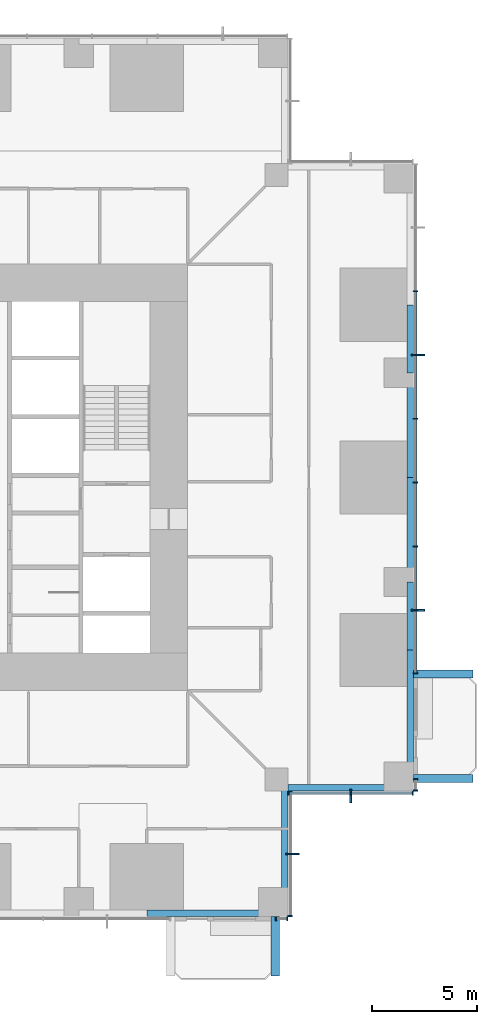
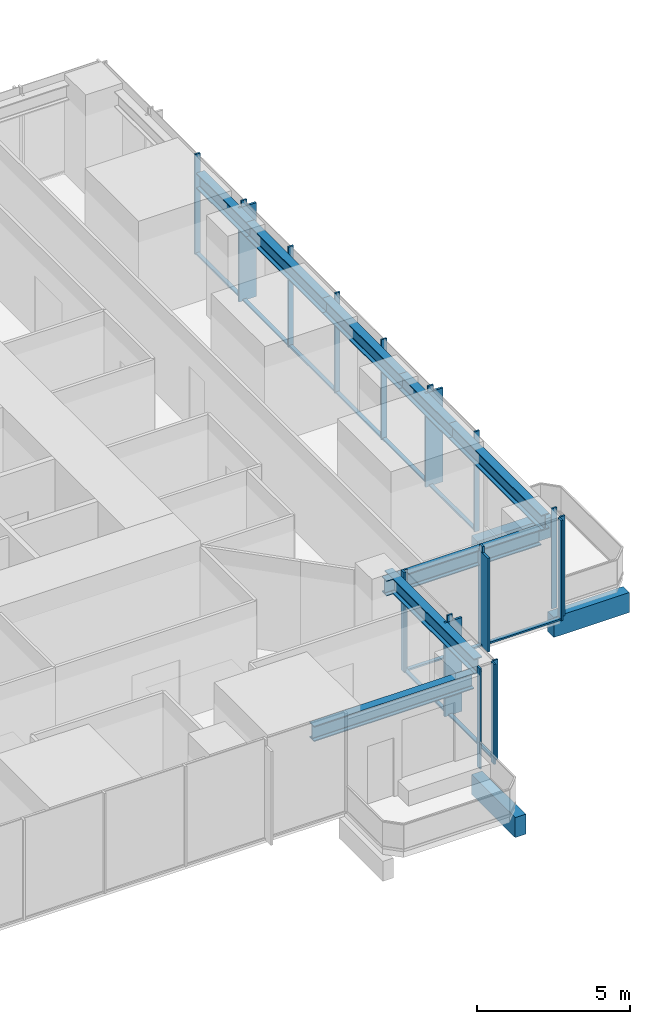
# One storey, part 4 of 15: 31 members, 11 beams, 5 elements without a shape of their own.
"""IFC4 building model written with IfcOpenShell, lengths in metres."""

from ifc_helpers import new_model, si_unit, direction, frame, origin, origin_2d, place, context, subcontext, project, spatial, rectangle, i_section, extrude, material, material_profile, profile_set, type_object, element, aggregate, save


model = new_model("IFC4")

# Units and contexts
model_context = context("Model", 3, precision=1e-05, world=origin(), true_north=direction((0.0, 1.0)))
body_context = subcontext(model_context, "Body", "Model", "MODEL_VIEW")
ifc_project = project(units=[si_unit("LENGTHUNIT", "METRE"), si_unit("AREAUNIT", "SQUARE_METRE"), si_unit("VOLUMEUNIT", "CUBIC_METRE"), si_unit("PLANEANGLEUNIT", "RADIAN"), si_unit("MASSUNIT", "GRAM", prefix="KILO")], contexts=[model_context])

# Site, building, storey
site_placement = place(None, origin())
site = spatial("IfcSite", under=ifc_project, at=site_placement, CompositionType="ELEMENT")
building_placement = place(site_placement, origin())
building = spatial("IfcBuilding", under=site, at=building_placement, Name="Svetlomir Tower", CompositionType="ELEMENT")
storey_placement = place(building_placement, frame((0.0, 0.0, 26.5)))
storey = spatial("IfcBuildingStorey", under=building, at=storey_placement, Name="L05", CompositionType="ELEMENT", Elevation=26.5)

# Beams
ifc_material_1 = material(Name="Concrete C60/75", Category="concrete")
ifc_material_profile_1 = material_profile(ifc_material_1, rectangle(XDim=0.39990234375, YDim=0.800048828125, at=origin_2d()), Name="RC 400x800")
ifc_profile_set_1 = profile_set([ifc_material_profile_1], Name="Concrete C60/75")
beam_type_1 = type_object("IfcBeamType", Name="BALCONY RIB RC 400x800", PredefinedType="BEAM", material=ifc_profile_set_1)
for number, where, z_axis, x_axis, name in (
    (1, (35.39990234375, 0.0, -0.64990234375), (0.0, -1.0, 0.0), (1.0, 0.0, 0.0), "Balcony rib S 2 L05"),
    (2, (42.0, 6.60009765625, -0.64990234375), (1.0, 0.0, 0.0), (0.0, 1.0, 0.0), "Balcony rib E 1 L05"),
    (3, (42.0, 11.60009765625, -0.64990234375), (1.0, 0.0, 0.0), (0.0, 1.0, 0.0), "Balcony rib E 2 L05"),
):
    element("IfcBeam", number, at=place(storey_placement, frame(where, z_axis=z_axis, x_axis=x_axis)), inside=storey, type_object=beam_type_1, Name=name, PredefinedType="BEAM", context=body_context, shape_type="SweptSolid", body=[
        extrude(rectangle(XDim=0.39990234375, YDim=0.800048828125, at=origin_2d()), origin(), (0.0, 0.0, 1.0), 2.85009765625),
    ])

# Curtain wall, member
ifc_material_2 = material(Name="Bronze anodised aluminium curtain wall", Category="aluminium")
curtain_wall_type = type_object("IfcCurtainWallType", Name="CURTAIN WALL CW1 TOWER OFFICE", PredefinedType="NOTDEFINED", material=ifc_material_2)
curtain_wall_1_placement = place(storey_placement, origin())
curtain_wall_1 = element("IfcCurtainWall", 4, at=curtain_wall_1_placement, inside=storey, type_object=curtain_wall_type, Name="Curtain wall CW1 L05", PredefinedType="NOTDEFINED")
ifc_material_3 = material(Name="Bronze anodised aluminium", Category="aluminium")
ifc_material_profile_2 = material_profile(ifc_material_3, rectangle(XDim=0.080078125, YDim=0.64990234375, at=origin_2d()), Name="FIN 80x650")
ifc_profile_set_2 = profile_set([ifc_material_profile_2], Name="Bronze anodised aluminium 6063-T6")
member_type_1 = type_object("IfcMemberType", Name="BRONZE FIN 80x650", PredefinedType="USERDEFINED", material=ifc_profile_set_2)
member_1_placement = place(storey_placement, frame((36.22509765625, 3.0, 0.0), z_axis=(0.0, 0.0, 1.0), x_axis=(0.0, 1.0, 0.0)))
member_1 = element("IfcMember", 5, at=member_1_placement, type_object=member_type_1, Name="Bronze fin L05", ObjectType="FIN", PredefinedType="USERDEFINED", context=body_context, shape_type="SweptSolid", body=[
    extrude(rectangle(XDim=0.080078125, YDim=0.64990234375, at=origin_2d()), origin(), (0.0, 0.0, 1.0), 3.75),
])

curtain_wall_2_placement = place(storey_placement, origin())
curtain_wall_2 = element("IfcCurtainWall", 6, at=curtain_wall_2_placement, inside=storey, type_object=curtain_wall_type, Name="Curtain wall CW1 L05", PredefinedType="NOTDEFINED")
member_2_placement = place(storey_placement, frame((39.0, 5.77490234375, 0.0), z_axis=(0.0, 0.0, 1.0), x_axis=(1.0, 0.0, 0.0)))
member_2 = element("IfcMember", 7, at=member_2_placement, type_object=member_type_1, Name="Bronze fin L05", ObjectType="FIN", PredefinedType="USERDEFINED", context=body_context, shape_type="SweptSolid", body=[
    extrude(rectangle(XDim=0.080078125, YDim=0.64990234375, at=origin_2d()), origin(), (0.0, 0.0, 1.0), 3.75),
])

# Curtain wall, members
curtain_wall_3_placement = place(storey_placement, origin())
curtain_wall_3 = element("IfcCurtainWall", 8, at=curtain_wall_3_placement, inside=storey, type_object=curtain_wall_type, Name="Curtain wall CW1 L05", PredefinedType="NOTDEFINED")
member_3_placement = place(storey_placement, frame((42.22509765625, 14.64990234375, 0.0), z_axis=(0.0, 0.0, 1.0), x_axis=(0.0, 1.0, 0.0)))
member_3 = element("IfcMember", 9, at=member_3_placement, type_object=member_type_1, Name="Bronze fin L05", ObjectType="FIN", PredefinedType="USERDEFINED", context=body_context, shape_type="SweptSolid", body=[
    extrude(rectangle(XDim=0.080078125, YDim=0.64990234375, at=origin_2d()), origin(), (0.0, 0.0, 1.0), 3.75),
])
member_4_placement = place(storey_placement, frame((42.22509765625, 26.85009765625, 0.0), z_axis=(0.0, 0.0, 1.0), x_axis=(0.0, 1.0, 0.0)))
member_4 = element("IfcMember", 10, at=member_4_placement, type_object=member_type_1, Name="Bronze fin L05", ObjectType="FIN", PredefinedType="USERDEFINED", context=body_context, shape_type="SweptSolid", body=[
    extrude(rectangle(XDim=0.080078125, YDim=0.64990234375, at=origin_2d()), origin(), (0.0, 0.0, 1.0), 3.75),
])

curtain_wall_4_placement = place(storey_placement, origin())
curtain_wall_4 = element("IfcCurtainWall", 11, at=curtain_wall_4_placement, inside=storey, type_object=curtain_wall_type, Name="Curtain wall CW1 L05", PredefinedType="NOTDEFINED")
ifc_material_4 = material(Name="Bronze anodised aluminium", Category="aluminium")
ifc_material_profile_3 = material_profile(ifc_material_4, rectangle(XDim=0.06494140625, YDim=0.199951171875, at=origin_2d()), Name="AL 65x200")
ifc_profile_set_3 = profile_set([ifc_material_profile_3], Name="Bronze anodised aluminium 6063-T6")
member_type_2 = type_object("IfcMemberType", Name="CW1 MULLION 65x200", PredefinedType="MULLION", material=ifc_profile_set_3)
member_5_placement = place(storey_placement, frame((35.4326171875, -0.10009765625, 0.0), z_axis=(0.0, 0.0, 1.0), x_axis=(1.0, 0.0, 0.0)))
member_5 = element("IfcMember", 12, at=member_5_placement, type_object=member_type_2, Name="CW1 mullion 1", PredefinedType="MULLION", context=body_context, shape_type="SweptSolid", body=[
    extrude(rectangle(XDim=0.06494140625, YDim=0.199951171875, at=origin_2d()), origin(), (0.0, 0.0, 1.0), 4.0),
])
member_6_placement = place(storey_placement, frame((35.967529296875, -0.10009765625, 0.0), z_axis=(0.0, 0.0, 1.0), x_axis=(1.0, 0.0, 0.0)))
member_6 = element("IfcMember", 13, at=member_6_placement, type_object=member_type_2, Name="CW1 mullion 2", PredefinedType="MULLION", context=body_context, shape_type="SweptSolid", body=[
    extrude(rectangle(XDim=0.06494140625, YDim=0.199951171875, at=origin_2d()), origin(), (0.0, 0.0, 1.0), 4.0),
])
aggregate(curtain_wall_4, [member_5, member_6])

# Member
member_7_placement = place(storey_placement, frame((36.10009765625, 0.032470703125, 0.0), z_axis=(0.0, 0.0, 1.0), x_axis=(0.0, 1.0, 0.0)))
member_7 = element("IfcMember", 14, at=member_7_placement, type_object=member_type_2, Name="CW1 mullion 1", PredefinedType="MULLION", context=body_context, shape_type="SweptSolid", body=[
    extrude(rectangle(XDim=0.06494140625, YDim=0.199951171875, at=origin_2d()), origin(), (0.0, 0.0, 1.0), 4.0),
])

member_8_placement = place(storey_placement, frame((36.10009765625, 3.0, 0.0), z_axis=(0.0, 0.0, 1.0), x_axis=(0.0, 1.0, 0.0)))
member_8 = element("IfcMember", 15, at=member_8_placement, type_object=member_type_2, Name="CW1 mullion 2", PredefinedType="MULLION", context=body_context, shape_type="SweptSolid", body=[
    extrude(rectangle(XDim=0.06494140625, YDim=0.199951171875, at=origin_2d()), origin(), (0.0, 0.0, 1.0), 4.0),
])

member_9_placement = place(storey_placement, frame((36.10009765625, 5.967529296875, 0.0), z_axis=(0.0, 0.0, 1.0), x_axis=(0.0, 1.0, 0.0)))
member_9 = element("IfcMember", 16, at=member_9_placement, type_object=member_type_2, Name="CW1 mullion 3", PredefinedType="MULLION", context=body_context, shape_type="SweptSolid", body=[
    extrude(rectangle(XDim=0.06494140625, YDim=0.199951171875, at=origin_2d()), origin(), (0.0, 0.0, 1.0), 4.0),
])

member_10_placement = place(storey_placement, frame((36.032470703125, 5.89990234375, 0.0), z_axis=(0.0, 0.0, 1.0), x_axis=(1.0, 0.0, 0.0)))
member_10 = element("IfcMember", 17, at=member_10_placement, type_object=member_type_2, Name="CW1 mullion 1", PredefinedType="MULLION", context=body_context, shape_type="SweptSolid", body=[
    extrude(rectangle(XDim=0.06494140625, YDim=0.199951171875, at=origin_2d()), origin(), (0.0, 0.0, 1.0), 4.0),
])

member_11_placement = place(storey_placement, frame((39.0, 5.89990234375, 0.0), z_axis=(0.0, 0.0, 1.0), x_axis=(1.0, 0.0, 0.0)))
member_11 = element("IfcMember", 18, at=member_11_placement, type_object=member_type_2, Name="CW1 mullion 2", PredefinedType="MULLION", context=body_context, shape_type="SweptSolid", body=[
    extrude(rectangle(XDim=0.06494140625, YDim=0.199951171875, at=origin_2d()), origin(), (0.0, 0.0, 1.0), 4.0),
])

member_12_placement = place(storey_placement, frame((41.967529296875, 5.89990234375, 0.0), z_axis=(0.0, 0.0, 1.0), x_axis=(1.0, 0.0, 0.0)))
member_12 = element("IfcMember", 19, at=member_12_placement, type_object=member_type_2, Name="CW1 mullion 3", PredefinedType="MULLION", context=body_context, shape_type="SweptSolid", body=[
    extrude(rectangle(XDim=0.06494140625, YDim=0.199951171875, at=origin_2d()), origin(), (0.0, 0.0, 1.0), 4.0),
])

# Curtain wall, members
curtain_wall_5_placement = place(storey_placement, origin())
curtain_wall_5 = element("IfcCurtainWall", 20, at=curtain_wall_5_placement, inside=storey, type_object=curtain_wall_type, Name="Curtain wall CW1 L05", PredefinedType="NOTDEFINED")
member_13_placement = place(storey_placement, frame((42.10009765625, 6.032470703125, 0.0), z_axis=(0.0, 0.0, 1.0), x_axis=(0.0, 1.0, 0.0)))
member_13 = element("IfcMember", 21, at=member_13_placement, type_object=member_type_2, Name="CW1 mullion 1", PredefinedType="MULLION", context=body_context, shape_type="SweptSolid", body=[
    extrude(rectangle(XDim=0.06494140625, YDim=0.199951171875, at=origin_2d()), origin(), (0.0, 0.0, 1.0), 4.0),
])
member_14_placement = place(storey_placement, frame((42.10009765625, 6.5673828125, 0.0), z_axis=(0.0, 0.0, 1.0), x_axis=(0.0, 1.0, 0.0)))
member_14 = element("IfcMember", 22, at=member_14_placement, type_object=member_type_2, Name="CW1 mullion 2", PredefinedType="MULLION", context=body_context, shape_type="SweptSolid", body=[
    extrude(rectangle(XDim=0.06494140625, YDim=0.199951171875, at=origin_2d()), origin(), (0.0, 0.0, 1.0), 4.0),
])
aggregate(curtain_wall_5, [member_13, member_14])

# Member
member_15_placement = place(storey_placement, frame((42.10009765625, 11.632568359375, 0.0), z_axis=(0.0, 0.0, 1.0), x_axis=(0.0, 1.0, 0.0)))
member_15 = element("IfcMember", 23, at=member_15_placement, type_object=member_type_2, Name="CW1 mullion 1", PredefinedType="MULLION", context=body_context, shape_type="SweptSolid", body=[
    extrude(rectangle(XDim=0.06494140625, YDim=0.199951171875, at=origin_2d()), origin(), (0.0, 0.0, 1.0), 4.0),
])

member_16_placement = place(storey_placement, frame((42.10009765625, 14.64990234375, 0.0), z_axis=(0.0, 0.0, 1.0), x_axis=(0.0, 1.0, 0.0)))
member_16 = element("IfcMember", 24, at=member_16_placement, type_object=member_type_2, Name="CW1 mullion 2", PredefinedType="MULLION", context=body_context, shape_type="SweptSolid", body=[
    extrude(rectangle(XDim=0.06494140625, YDim=0.199951171875, at=origin_2d()), origin(), (0.0, 0.0, 1.0), 4.0),
])

member_17_placement = place(storey_placement, frame((42.10009765625, 17.699951171875, 0.0), z_axis=(0.0, 0.0, 1.0), x_axis=(0.0, 1.0, 0.0)))
member_17 = element("IfcMember", 25, at=member_17_placement, type_object=member_type_2, Name="CW1 mullion 3", PredefinedType="MULLION", context=body_context, shape_type="SweptSolid", body=[
    extrude(rectangle(XDim=0.06494140625, YDim=0.199951171875, at=origin_2d()), origin(), (0.0, 0.0, 1.0), 4.0),
])

member_18_placement = place(storey_placement, frame((42.10009765625, 20.75, 0.0), z_axis=(0.0, 0.0, 1.0), x_axis=(0.0, 1.0, 0.0)))
member_18 = element("IfcMember", 26, at=member_18_placement, type_object=member_type_2, Name="CW1 mullion 4", PredefinedType="MULLION", context=body_context, shape_type="SweptSolid", body=[
    extrude(rectangle(XDim=0.06494140625, YDim=0.199951171875, at=origin_2d()), origin(), (0.0, 0.0, 1.0), 4.0),
])

member_19_placement = place(storey_placement, frame((42.10009765625, 23.800048828125, 0.0), z_axis=(0.0, 0.0, 1.0), x_axis=(0.0, 1.0, 0.0)))
member_19 = element("IfcMember", 27, at=member_19_placement, type_object=member_type_2, Name="CW1 mullion 5", PredefinedType="MULLION", context=body_context, shape_type="SweptSolid", body=[
    extrude(rectangle(XDim=0.06494140625, YDim=0.199951171875, at=origin_2d()), origin(), (0.0, 0.0, 1.0), 4.0),
])

member_20_placement = place(storey_placement, frame((42.10009765625, 26.85009765625, 0.0), z_axis=(0.0, 0.0, 1.0), x_axis=(0.0, 1.0, 0.0)))
member_20 = element("IfcMember", 28, at=member_20_placement, type_object=member_type_2, Name="CW1 mullion 6", PredefinedType="MULLION", context=body_context, shape_type="SweptSolid", body=[
    extrude(rectangle(XDim=0.06494140625, YDim=0.199951171875, at=origin_2d()), origin(), (0.0, 0.0, 1.0), 4.0),
])

member_21_placement = place(storey_placement, frame((42.10009765625, 29.89990234375, 0.0), z_axis=(0.0, 0.0, 1.0), x_axis=(0.0, 1.0, 0.0)))
member_21 = element("IfcMember", 29, at=member_21_placement, type_object=member_type_2, Name="CW1 mullion 7", PredefinedType="MULLION", context=body_context, shape_type="SweptSolid", body=[
    extrude(rectangle(XDim=0.06494140625, YDim=0.199951171875, at=origin_2d()), origin(), (0.0, 0.0, 1.0), 4.0),
])

ifc_material_5 = material(Name="Bronze anodised aluminium", Category="aluminium")
ifc_material_profile_4 = material_profile(ifc_material_5, rectangle(XDim=0.139892578125, YDim=0.06494140625, at=origin_2d()), Name="AL 140x65")
ifc_profile_set_4 = profile_set([ifc_material_profile_4], Name="Bronze anodised aluminium 6063-T6")
member_type_3 = type_object("IfcMemberType", Name="CW1 TRANSOM 65x140", PredefinedType="USERDEFINED", material=ifc_profile_set_4)
member_22_placement = place(storey_placement, frame((36.10009765625, 0.06494140625, 0.032470703125), z_axis=(0.0, 1.0, 0.0), x_axis=(-1.0, 0.0, 0.0)))
member_22 = element("IfcMember", 30, at=member_22_placement, type_object=member_type_3, Name="CW1 transom 1.1", ObjectType="TRANSOM", PredefinedType="USERDEFINED", context=body_context, shape_type="SweptSolid", body=[
    extrude(rectangle(XDim=0.139892578125, YDim=0.06494140625, at=origin_2d()), origin(), (0.0, 0.0, 1.0), 2.902587890625),
])

member_23_placement = place(storey_placement, frame((36.10009765625, 3.032470703125, 0.032470703125), z_axis=(0.0, 1.0, 0.0), x_axis=(-1.0, 0.0, 0.0)))
member_23 = element("IfcMember", 31, at=member_23_placement, type_object=member_type_3, Name="CW1 transom 2.1", ObjectType="TRANSOM", PredefinedType="USERDEFINED", context=body_context, shape_type="SweptSolid", body=[
    extrude(rectangle(XDim=0.139892578125, YDim=0.06494140625, at=origin_2d()), origin(), (0.0, 0.0, 1.0), 2.902587890625),
])

aggregate(curtain_wall_1, [member_7, member_8, member_9, member_22, member_23, member_1])

member_24_placement = place(storey_placement, frame((36.06494140625, 5.89990234375, 0.032470703125), z_axis=(1.0, 0.0, 0.0), x_axis=(0.0, 1.0, 0.0)))
member_24 = element("IfcMember", 32, at=member_24_placement, type_object=member_type_3, Name="CW1 transom 1.1", ObjectType="TRANSOM", PredefinedType="USERDEFINED", context=body_context, shape_type="SweptSolid", body=[
    extrude(rectangle(XDim=0.139892578125, YDim=0.06494140625, at=origin_2d()), origin(), (0.0, 0.0, 1.0), 2.902587890625),
])

member_25_placement = place(storey_placement, frame((39.032470703125, 5.89990234375, 0.032470703125), z_axis=(1.0, 0.0, 0.0), x_axis=(0.0, 1.0, 0.0)))
member_25 = element("IfcMember", 33, at=member_25_placement, type_object=member_type_3, Name="CW1 transom 2.1", ObjectType="TRANSOM", PredefinedType="USERDEFINED", context=body_context, shape_type="SweptSolid", body=[
    extrude(rectangle(XDim=0.139892578125, YDim=0.06494140625, at=origin_2d()), origin(), (0.0, 0.0, 1.0), 2.902587890625),
])

aggregate(curtain_wall_2, [member_10, member_11, member_12, member_24, member_25, member_2])

member_26_placement = place(storey_placement, frame((42.10009765625, 11.6650390625, 0.032470703125), z_axis=(0.0, 1.0, 0.0), x_axis=(-1.0, 0.0, 0.0)))
member_26 = element("IfcMember", 34, at=member_26_placement, type_object=member_type_3, Name="CW1 transom 1.1", ObjectType="TRANSOM", PredefinedType="USERDEFINED", context=body_context, shape_type="SweptSolid", body=[
    extrude(rectangle(XDim=0.139892578125, YDim=0.06494140625, at=origin_2d()), origin(), (0.0, 0.0, 1.0), 2.952392578125),
])

member_27_placement = place(storey_placement, frame((42.10009765625, 14.6826171875, 0.032470703125), z_axis=(0.0, 1.0, 0.0), x_axis=(-1.0, 0.0, 0.0)))
member_27 = element("IfcMember", 35, at=member_27_placement, type_object=member_type_3, Name="CW1 transom 2.1", ObjectType="TRANSOM", PredefinedType="USERDEFINED", context=body_context, shape_type="SweptSolid", body=[
    extrude(rectangle(XDim=0.139892578125, YDim=0.06494140625, at=origin_2d()), origin(), (0.0, 0.0, 1.0), 2.98486328125),
])

member_28_placement = place(storey_placement, frame((42.10009765625, 17.732421875, 0.032470703125), z_axis=(0.0, 1.0, 0.0), x_axis=(-1.0, 0.0, 0.0)))
member_28 = element("IfcMember", 36, at=member_28_placement, type_object=member_type_3, Name="CW1 transom 3.1", ObjectType="TRANSOM", PredefinedType="USERDEFINED", context=body_context, shape_type="SweptSolid", body=[
    extrude(rectangle(XDim=0.139892578125, YDim=0.06494140625, at=origin_2d()), origin(), (0.0, 0.0, 1.0), 2.985107421875),
])

member_29_placement = place(storey_placement, frame((42.10009765625, 20.782470703125, 0.032470703125), z_axis=(0.0, 1.0, 0.0), x_axis=(-1.0, 0.0, 0.0)))
member_29 = element("IfcMember", 37, at=member_29_placement, type_object=member_type_3, Name="CW1 transom 4.1", ObjectType="TRANSOM", PredefinedType="USERDEFINED", context=body_context, shape_type="SweptSolid", body=[
    extrude(rectangle(XDim=0.139892578125, YDim=0.06494140625, at=origin_2d()), origin(), (0.0, 0.0, 1.0), 2.985107421875),
])

member_30_placement = place(storey_placement, frame((42.10009765625, 23.83251953125, 0.032470703125), z_axis=(0.0, 1.0, 0.0), x_axis=(-1.0, 0.0, 0.0)))
member_30 = element("IfcMember", 38, at=member_30_placement, type_object=member_type_3, Name="CW1 transom 5.1", ObjectType="TRANSOM", PredefinedType="USERDEFINED", context=body_context, shape_type="SweptSolid", body=[
    extrude(rectangle(XDim=0.139892578125, YDim=0.06494140625, at=origin_2d()), origin(), (0.0, 0.0, 1.0), 2.98486328125),
])

member_31_placement = place(storey_placement, frame((42.10009765625, 26.882568359375, 0.032470703125), z_axis=(0.0, 1.0, 0.0), x_axis=(-1.0, 0.0, 0.0)))
member_31 = element("IfcMember", 39, at=member_31_placement, type_object=member_type_3, Name="CW1 transom 6.1", ObjectType="TRANSOM", PredefinedType="USERDEFINED", context=body_context, shape_type="SweptSolid", body=[
    extrude(rectangle(XDim=0.139892578125, YDim=0.06494140625, at=origin_2d()), origin(), (0.0, 0.0, 1.0), 2.98486328125),
])

aggregate(curtain_wall_3, [member_15, member_16, member_17, member_18, member_19, member_20, member_21, member_26, member_27, member_28, member_29, member_30, member_31, member_3, member_4])

# Beams
ifc_material_6 = material(Name="Steel S355", Category="steel")
ifc_material_profile_5 = material_profile(ifc_material_6, i_section(OverallWidth=0.304931640625, OverallDepth=0.6201171875, WebThickness=0.02099609375, FlangeThickness=0.0400390625, FilletRadius=0.027099609375, at=origin_2d()), Name="HEM 600")
ifc_profile_set_5 = profile_set([ifc_material_profile_5], Name="Steel S355")
beam_type_2 = type_object("IfcBeamType", Name="EDGE BEAM HEM 600", PredefinedType="SPANDREL", material=ifc_profile_set_5)
beam_1_placement = place(storey_placement, frame((41.847412109375, 6.699951171875, 3.43994140625), z_axis=(0.0, 1.0, 0.0), x_axis=(-1.0, 0.0, 0.0)))
element("IfcBeam", 40, at=beam_1_placement, inside=storey, type_object=beam_type_2, Name="Edge beam 42/6 to 42/11 under L06", PredefinedType="SPANDREL", context=body_context, shape_type="SweptSolid", body=[
    extrude(i_section(OverallWidth=0.304931640625, OverallDepth=0.6201171875, WebThickness=0.02099609375, FlangeThickness=0.0400390625, FilletRadius=0.027099609375, at=origin_2d()), origin(), (0.0, 0.0, 1.0), 6.050048828125),
])
beam_2_placement = place(storey_placement, frame((41.847412109375, 12.75, 3.43994140625), z_axis=(0.0, 1.0, 0.0), x_axis=(-1.0, 0.0, 0.0)))
element("IfcBeam", 41, at=beam_2_placement, inside=storey, type_object=beam_type_2, Name="Edge beam 42/11 to 42/16 under L06", PredefinedType="SPANDREL", context=body_context, shape_type="SweptSolid", body=[
    extrude(i_section(OverallWidth=0.304931640625, OverallDepth=0.6201171875, WebThickness=0.02099609375, FlangeThickness=0.0400390625, FilletRadius=0.027099609375, at=origin_2d()), origin(), (0.0, 0.0, 1.0), 3.25),
])
for number, where, z_axis, x_axis, name in (
    (42, (41.847412109375, 16.0, 3.43994140625), (0.0, 1.0, 0.0), (-1.0, 0.0, 0.0), "Edge beam 42/16 to 42/21 under L06"),
    (43, (41.847412109375, 21.0, 3.43994140625), (0.0, 1.0, 0.0), (-1.0, 0.0, 0.0), "Edge beam 42/21 to 42/26 under L06"),
):
    element("IfcBeam", number, at=place(storey_placement, frame(where, z_axis=z_axis, x_axis=x_axis)), inside=storey, type_object=beam_type_2, Name=name, PredefinedType="SPANDREL", context=body_context, shape_type="SweptSolid", body=[
        extrude(i_section(OverallWidth=0.304931640625, OverallDepth=0.6201171875, WebThickness=0.02099609375, FlangeThickness=0.0400390625, FilletRadius=0.027099609375, at=origin_2d()), origin(), (0.0, 0.0, 1.0), 5.0),
    ])
beam_3_placement = place(storey_placement, frame((41.847412109375, 26.0, 3.43994140625), z_axis=(0.0, 1.0, 0.0), x_axis=(-1.0, 0.0, 0.0)))
element("IfcBeam", 44, at=beam_3_placement, inside=storey, type_object=beam_type_2, Name="Edge beam 42/26 to 42/31 under L06", PredefinedType="SPANDREL", context=body_context, shape_type="SweptSolid", body=[
    extrude(i_section(OverallWidth=0.304931640625, OverallDepth=0.6201171875, WebThickness=0.02099609375, FlangeThickness=0.0400390625, FilletRadius=0.027099609375, at=origin_2d()), origin(), (0.0, 0.0, 1.0), 3.25),
])
beam_4_placement = place(storey_placement, frame((29.25, 0.152587890625, 3.43994140625), z_axis=(1.0, 0.0, 0.0), x_axis=(0.0, 1.0, 0.0)))
element("IfcBeam", 45, at=beam_4_placement, inside=storey, type_object=beam_type_2, Name="Edge beam 31/0 to 36/0 under L06", PredefinedType="SPANDREL", context=body_context, shape_type="SweptSolid", body=[
    extrude(i_section(OverallWidth=0.304931640625, OverallDepth=0.6201171875, WebThickness=0.02099609375, FlangeThickness=0.0400390625, FilletRadius=0.027099609375, at=origin_2d()), origin(), (0.0, 0.0, 1.0), 6.050048828125),
])
for number, where, z_axis, x_axis, name in (
    (46, (35.847412109375, 0.699951171875, 3.43994140625), (0.0, 1.0, 0.0), (-1.0, 0.0, 0.0), "Edge beam 36/0 to 36/6 under L06"),
    (47, (41.300048828125, 6.152587890625, 3.43994140625), (-1.0, 0.0, 0.0), (0.0, -1.0, 0.0), "Edge beam 42/6 to 36/6 under L06"),
):
    element("IfcBeam", number, at=place(storey_placement, frame(where, z_axis=z_axis, x_axis=x_axis)), inside=storey, type_object=beam_type_2, Name=name, PredefinedType="SPANDREL", context=body_context, shape_type="SweptSolid", body=[
        extrude(i_section(OverallWidth=0.304931640625, OverallDepth=0.6201171875, WebThickness=0.02099609375, FlangeThickness=0.0400390625, FilletRadius=0.027099609375, at=origin_2d()), origin(), (0.0, 0.0, 1.0), 5.85009765625),
    ])

save(model, "model.ifc")
